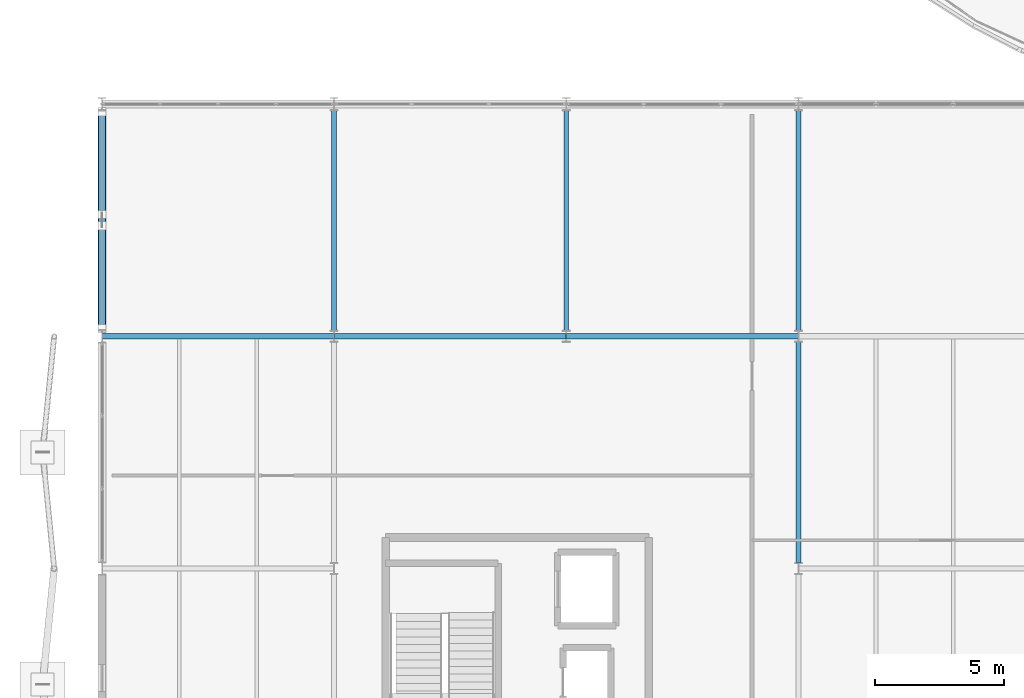
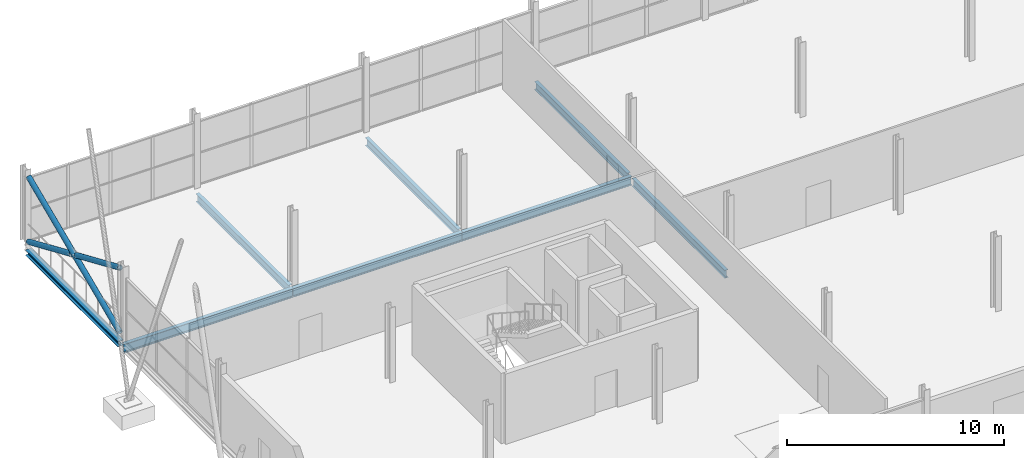
# One storey, part 70 of 140: 8 beams, 3 members.
"""IFC4 building model written with IfcOpenShell, lengths in metres."""

import ifcopenshell
import ifcopenshell.guid

model = None  # the IFC model being written
_history = None  # IfcOwnerHistory: only IFC2X3 demands one
_inside = {}  # id of a spatial element -> (the spatial element, [elements in it])
_under = {}  # id of a project, library or spatial element -> (it, [spatial elements below it])
_declared = {}  # id of a project -> (the project, [libraries it declares])
_typed = {}  # id of a type object -> (the type object, [elements of that type])
_made_of = {}  # id of a material, layer set ... -> (it, [elements and type objects made of it])


def new_model(schema):
    """Start an empty IFC model of exactly this schema.

    Asked for "IFC4X3", IfcOpenShell would pick the latest addendum, in which some entities
    have other attributes; the version numbers below select the first issue.
    IFC2X3 requires an IfcOwnerHistory on every rooted entity: one is made here for all.
    """
    global model, _history
    if schema == "IFC4X3":
        model = ifcopenshell.file(schema_version=(4, 3, 0, 0))
    else:
        model = ifcopenshell.file(schema=schema)
    _inside.clear()
    _under.clear()
    _declared.clear()
    _typed.clear()
    _made_of.clear()
    _history = None
    if model.schema == "IFC2X3":
        org = make("IfcOrganization", Name="unknown")
        user = make(
            "IfcPersonAndOrganization",
            ThePerson=make("IfcPerson", FamilyName="unknown"),
            TheOrganization=org,
        )
        app = make(
            "IfcApplication",
            ApplicationDeveloper=org,
            Version="unknown",
            ApplicationFullName="unknown",
            ApplicationIdentifier="unknown",
        )
        _history = make(
            "IfcOwnerHistory",
            OwningUser=user,
            OwningApplication=app,
            ChangeAction="ADDED",
            CreationDate=0,
        )
    return model


def make(cls, **values):
    """One entity of the class cls with the attributes given. An attribute that is None is left unset."""
    return model.create_entity(
        cls, **{name: value for name, value in values.items() if value is not None}
    )


def rooted(cls, **values):
    """An entity with a GlobalId (a new one), such as an element, a storey or a relation."""
    return make(cls, GlobalId=ifcopenshell.guid.new(), OwnerHistory=_history, **values)


def si_unit(unit_type, name, prefix=None):
    """IfcSIUnit, for example si_unit("LENGTHUNIT", "METRE", prefix="MILLI")."""
    return make("IfcSIUnit", UnitType=unit_type, Prefix=prefix, Name=name)


def assignment(units):
    """IfcUnitAssignment: the units of a project."""
    return None if units is None else make("IfcUnitAssignment", Units=units)


def point(xyz):
    """IfcCartesianPoint."""
    return None if xyz is None else make("IfcCartesianPoint", Coordinates=xyz)


def direction(xyz):
    """IfcDirection."""
    return None if xyz is None else make("IfcDirection", DirectionRatios=xyz)


def frame(location, z_axis=None, x_axis=None):
    """IfcAxis2Placement3D, a coordinate frame: its origin and axes. An axis left out is left unset."""
    return make(
        "IfcAxis2Placement3D",
        Location=point(location),
        Axis=direction(z_axis),
        RefDirection=direction(x_axis),
    )


def frame_2d(location, x_axis=None):
    """IfcAxis2Placement2D, a coordinate frame in the plane: its origin and x axis."""
    return make(
        "IfcAxis2Placement2D", Location=point(location), RefDirection=direction(x_axis)
    )


def origin():
    """The frame at (0, 0, 0) with its axes left unset."""
    return frame((0.0, 0.0, 0.0))


def origin_2d():
    """The frame at (0, 0) in the plane with its x axis left unset."""
    return frame_2d((0.0, 0.0))


def place(relative_to, where):
    """IfcLocalPlacement: puts the frame where relative to a parent placement (None: the world)."""
    return make(
        "IfcLocalPlacement", PlacementRelTo=relative_to, RelativePlacement=where
    )


def context(
    kind, dimensions, precision=None, world=None, true_north=None, identifier=None
):
    """IfcGeometricRepresentationContext, for example the 3D "Model" context."""
    return make(
        "IfcGeometricRepresentationContext",
        ContextIdentifier=identifier,
        ContextType=kind,
        CoordinateSpaceDimension=dimensions,
        Precision=precision,
        WorldCoordinateSystem=world,
        TrueNorth=true_north,
    )


def subcontext(parent, identifier, kind, view, scale=None):
    """IfcGeometricRepresentationSubContext, for example "Body" below "Model"."""
    return make(
        "IfcGeometricRepresentationSubContext",
        ContextIdentifier=identifier,
        ContextType=kind,
        ParentContext=parent,
        TargetScale=scale,
        TargetView=view,
    )


def project(units=None, contexts=None):
    """IfcProject with its units and contexts."""
    return rooted(
        "IfcProject",
        Name="project",
        RepresentationContexts=contexts,
        UnitsInContext=assignment(units),
    )


def spatial(cls, under=None, at=None, **own):
    """A site, building, storey or space (cls), placed at a placement, below another one or the project."""
    s = rooted(cls, ObjectPlacement=at, **own)
    if under is not None:
        _under.setdefault(under.id(), (under, []))[1].append(s)
    return s


def profile(cls, at=None, kind="AREA", **sizes):
    """A parametric profile (cls). Its sizes go by their IFC names, for example OverallWidth=200.0."""
    return make(cls, ProfileType=kind, Position=at, **sizes)


def hollow_circle(**sizes):
    """IfcCircleHollowProfileDef."""
    return profile("IfcCircleHollowProfileDef", **sizes)


def i_section(**sizes):
    """IfcIShapeProfileDef."""
    return profile("IfcIShapeProfileDef", **sizes)


def extrude(swept, where, along, depth):
    """IfcExtrudedAreaSolid: the profile swept, set in the frame where, extruded along a direction by depth."""
    return make(
        "IfcExtrudedAreaSolid",
        SweptArea=swept,
        Position=where,
        ExtrudedDirection=direction(along),
        Depth=depth,
    )


def shape(context_of_items, identifier, shape_type, items):
    """IfcShapeRepresentation: the items that make up one representation, for example the "Body"."""
    return make(
        "IfcShapeRepresentation",
        ContextOfItems=context_of_items,
        RepresentationIdentifier=identifier,
        RepresentationType=shape_type,
        Items=items,
    )


def material(Name=None, Category=None):
    """IfcMaterial."""
    return make("IfcMaterial", Name=Name, Category=Category)


def material_profile(
    of_material, cross_section, Name=None, Category=None, Priority=None
):
    """IfcMaterialProfile: a cross section and its material."""
    return make(
        "IfcMaterialProfile",
        Name=Name,
        Material=of_material,
        Profile=cross_section,
        Priority=Priority,
        Category=Category,
    )


def profile_set(profiles, Name=None, composite=None):
    """IfcMaterialProfileSet."""
    return make(
        "IfcMaterialProfileSet",
        Name=Name,
        MaterialProfiles=profiles,
        CompositeProfile=composite,
    )


def made_of(thing, what):
    """Note that an element or type object is made of a material, layer set ...; save() writes the relation."""
    if what is not None:
        _made_of.setdefault(what.id(), (what, []))[1].append(thing)
    return thing


def type_object(cls, material=None, **own):
    """A type object (cls), such as IfcWallType, which elements share."""
    return made_of(rooted(cls, **own), material)


def element(
    cls,
    number,
    at=None,
    inside=None,
    cuts=None,
    type_object=None,
    material=None,
    context=None,
    identifier="Body",
    shape_type=None,
    held_by="IfcProductDefinitionShape",
    body=None,
    shapes=None,
    **own,
):
    """One element of the class cls, such as IfcWall. Its Tag is "e" and its number.

    at: its placement. inside: the storey or other place that contains it. cuts: it is an
    opening in that element (IfcRelVoidsElement). A single representation is given by context,
    identifier, shape_type and body (its items); several are given by shapes. held_by: the class
    of the entity that holds the representations. save() writes the other relations.
    """
    e = rooted(cls, Tag="e%d" % number, ObjectPlacement=at, **own)
    if body is not None:
        shapes = [shape(context, identifier, shape_type, body)]
    if shapes is not None:
        e.Representation = make(held_by, Representations=shapes)
    if inside is not None:
        _inside.setdefault(inside.id(), (inside, []))[1].append(e)
    if cuts is not None:
        rooted(
            "IfcRelVoidsElement", RelatingBuildingElement=cuts, RelatedOpeningElement=e
        )
    if type_object is not None:
        _typed.setdefault(type_object.id(), (type_object, []))[1].append(e)
    return made_of(e, material)


def aggregate(whole, parts):
    """IfcRelAggregates: a whole, such as a stair, and the parts it consists of."""
    return rooted("IfcRelAggregates", RelatingObject=whole, RelatedObjects=parts)


def save(model, path):
    """Write the relations noted so far, then the file.

    IfcRelAggregates (storeys below a building ...), IfcRelContainedInSpatialStructure (elements
    in a storey), IfcRelDefinesByType, IfcRelAssociatesMaterial and IfcRelDeclares: one each for
    every whole, place, type object, material and project.
    """
    for whole, parts in _under.values():
        aggregate(whole, parts)
    for where, things in _inside.values():
        rooted(
            "IfcRelContainedInSpatialStructure",
            RelatedElements=things,
            RelatingStructure=where,
        )
    for kind, things in _typed.values():
        rooted("IfcRelDefinesByType", RelatedObjects=things, RelatingType=kind)
    for what, things in _made_of.values():
        rooted("IfcRelAssociatesMaterial", RelatedObjects=things, RelatingMaterial=what)
    for by, libraries in _declared.values():
        rooted("IfcRelDeclares", RelatingContext=by, RelatedDefinitions=libraries)
    model.write(path)


model = new_model("IFC4")

# Units and contexts
model_context = context("Model", 3, precision=1e-05, world=origin(), true_north=direction((0.0, 1.0)))
body_context = subcontext(model_context, "Body", "Model", "MODEL_VIEW")
ifc_project = project(units=[si_unit("LENGTHUNIT", "METRE"), si_unit("AREAUNIT", "SQUARE_METRE"), si_unit("VOLUMEUNIT", "CUBIC_METRE"), si_unit("PLANEANGLEUNIT", "RADIAN"), si_unit("MASSUNIT", "GRAM", prefix="KILO")], contexts=[model_context])

# Site, building, storey
site_placement = place(None, origin())
site = spatial("IfcSite", under=ifc_project, at=site_placement, CompositionType="ELEMENT")
building_placement = place(site_placement, origin())
building = spatial("IfcBuilding", under=site, at=building_placement, Name="Deido Ridge Mobility Hub", CompositionType="ELEMENT")
storey_placement = place(building_placement, origin())
storey = spatial("IfcBuildingStorey", under=building, at=storey_placement, Name="L00", CompositionType="ELEMENT", Elevation=0.0)

# Beams
ifc_material_1 = material(Name="Steel S355J2 EN 10025-2", Category="steel")
ifc_material_profile_1 = material_profile(ifc_material_1, i_section(OverallWidth=0.18994140625, OverallDepth=0.449951171875, WebThickness=0.009521484375, FlangeThickness=0.0146484375, FilletRadius=0.02099609375, at=origin_2d()), Name="IPE 450")
ifc_profile_set_1 = profile_set([ifc_material_profile_1], Name="Steel S355J2 EN 10025-2")
beam_type_1 = type_object("IfcBeamType", Name="BM-IPE450", PredefinedType="BEAM", material=ifc_profile_set_1)
for number, where, z_axis, x_axis, name in (
    (1, (9.0, 72.22509765625, -0.485107421875), (0.0, 1.0, 0.0), (-1.0, 0.0, 0.0), "Floor beam B4"),
    (2, (18.0, 72.22509765625, -0.485107421875), (0.0, 1.0, 0.0), (-1.0, 0.0, 0.0), "Floor beam B4"),
):
    element("IfcBeam", number, at=place(storey_placement, frame(where, z_axis=z_axis, x_axis=x_axis)), inside=storey, type_object=beam_type_1, Name=name, PredefinedType="BEAM", context=body_context, shape_type="SweptSolid", body=[
        extrude(i_section(OverallWidth=0.18994140625, OverallDepth=0.449951171875, WebThickness=0.009521484375, FlangeThickness=0.0146484375, FilletRadius=0.02099609375, at=origin_2d()), origin(), (0.0, 0.0, 1.0), 8.52490234375),
    ])
beam_1_placement = place(storey_placement, frame((27.0, 63.22509765625, -0.485107421875), z_axis=(0.0, 1.0, 0.0), x_axis=(-1.0, 0.0, 0.0)))
element("IfcBeam", 3, at=beam_1_placement, inside=storey, type_object=beam_type_1, Name="Floor beam B4", PredefinedType="BEAM", context=body_context, shape_type="SweptSolid", body=[
    extrude(i_section(OverallWidth=0.18994140625, OverallDepth=0.449951171875, WebThickness=0.009521484375, FlangeThickness=0.0146484375, FilletRadius=0.02099609375, at=origin_2d()), origin(), (0.0, 0.0, 1.0), 8.5498046875),
])
beam_2_placement = place(storey_placement, frame((27.0, 72.22509765625, -0.485107421875), z_axis=(0.0, 1.0, 0.0), x_axis=(-1.0, 0.0, 0.0)))
element("IfcBeam", 4, at=beam_2_placement, inside=storey, type_object=beam_type_1, Name="Floor beam B4", PredefinedType="BEAM", context=body_context, shape_type="SweptSolid", body=[
    extrude(i_section(OverallWidth=0.18994140625, OverallDepth=0.449951171875, WebThickness=0.009521484375, FlangeThickness=0.0146484375, FilletRadius=0.02099609375, at=origin_2d()), origin(), (0.0, 0.0, 1.0), 8.52490234375),
])
ifc_material_profile_2 = material_profile(ifc_material_1, i_section(OverallWidth=0.199951171875, OverallDepth=0.5, WebThickness=0.01025390625, FlangeThickness=0.01611328125, FilletRadius=0.02099609375, at=origin_2d()), Name="IPE 500")
ifc_profile_set_2 = profile_set([ifc_material_profile_2], Name="Steel S355J2 EN 10025-2")
beam_type_2 = type_object("IfcBeamType", Name="BM-IPE500", PredefinedType="BEAM", material=ifc_profile_set_2)
beam_3_placement = place(storey_placement, frame((0.00732421875, 72.0, -0.510009765625), z_axis=(1.0, 0.0, 0.0), x_axis=(0.0, 1.0, 0.0)))
element("IfcBeam", 5, at=beam_3_placement, inside=storey, type_object=beam_type_2, Name="Floor beam B3", PredefinedType="BEAM", context=body_context, shape_type="SweptSolid", body=[
    extrude(i_section(OverallWidth=0.199951171875, OverallDepth=0.5, WebThickness=0.01025390625, FlangeThickness=0.01611328125, FilletRadius=0.02099609375, at=origin_2d()), origin(), (0.0, 0.0, 1.0), 8.985595703125),
])
for number, where, z_axis, x_axis, name in (
    (6, (9.007080078125, 72.0, -0.510009765625), (1.0, 0.0, 0.0), (0.0, 1.0, 0.0), "Floor beam B3"),
    (7, (18.007080078125, 72.0, -0.510009765625), (1.0, 0.0, 0.0), (0.0, 1.0, 0.0), "Floor beam B3"),
):
    element("IfcBeam", number, at=place(storey_placement, frame(where, z_axis=z_axis, x_axis=x_axis)), inside=storey, type_object=beam_type_2, Name=name, PredefinedType="BEAM", context=body_context, shape_type="SweptSolid", body=[
        extrude(i_section(OverallWidth=0.199951171875, OverallDepth=0.5, WebThickness=0.01025390625, FlangeThickness=0.01611328125, FilletRadius=0.02099609375, at=origin_2d()), origin(), (0.0, 0.0, 1.0), 8.98583984375),
    ])

# Members
ifc_material_2 = material(Name="Steel S355J2H EN 10210-1", Category="steel")
ifc_material_profile_3 = material_profile(ifc_material_2, hollow_circle(Radius=0.136474609375, WallThickness=0.012451171875, at=origin_2d()), Name="CHS 273x12.5")
ifc_profile_set_3 = profile_set([ifc_material_profile_3], Name="Steel S355J2H EN 10210-1")
member_type = type_object("IfcMemberType", Name="MEM-BRC-CHS273", PredefinedType="BRACE", material=ifc_profile_set_3)
member_placement = place(storey_placement, frame((0.0, 72.300048828125, 0.179931640625), z_axis=(0.0, 0.91754849034, 0.397623902545), x_axis=(-1.0, 0.0, 0.0)))
element("IfcMember", 8, at=member_placement, inside=storey, type_object=member_type, Name="Continuous X-brace diagonal BR1", PredefinedType="BRACE", context=body_context, shape_type="SweptSolid", body=[
    extrude(hollow_circle(Radius=0.136474609375, WallThickness=0.012451171875, at=origin_2d()), origin(), (0.0, 0.0, 1.0), 9.15478515625),
])
for number, where, z_axis, x_axis, name in (
    (9, (0.0, 80.699951171875, 0.179931640625), (0.0, -0.917550833654, 0.397618495119), (1.0, 0.0, 0.0), "Split X-brace diagonal segment BR1"),
    (10, (0.0, 76.27978515625, 2.095458984375), (0.0, -0.917550833654, 0.397618495119), (1.0, 0.0, 0.0), "Split X-brace diagonal segment BR1"),
):
    element("IfcMember", number, at=place(storey_placement, frame(where, z_axis=z_axis, x_axis=x_axis)), inside=storey, type_object=member_type, Name=name, PredefinedType="BRACE", context=body_context, shape_type="SweptSolid", body=[
        extrude(hollow_circle(Radius=0.136474609375, WallThickness=0.012451171875, at=origin_2d()), origin(), (0.0, 0.0, 1.0), 4.33740234375),
    ])

# Beam
ifc_material_profile_4 = material_profile(ifc_material_1, i_section(OverallWidth=0.300048828125, OverallDepth=0.300048828125, WebThickness=0.010986328125, FlangeThickness=0.01904296875, FilletRadius=0.027099609375, at=origin_2d()), Name="HEB 300")
ifc_profile_set_4 = profile_set([ifc_material_profile_4], Name="Steel S355J2 EN 10025-2")
beam_type_3 = type_object("IfcBeamType", Name="SPD-HEB300", PredefinedType="SPANDREL", material=ifc_profile_set_4)
beam_4_placement = place(storey_placement, frame((0.0, 72.25, -0.409912109375), z_axis=(0.0, 1.0, 0.0), x_axis=(-1.0, 0.0, 0.0)))
element("IfcBeam", 11, at=beam_4_placement, inside=storey, type_object=beam_type_3, Name="Floor beam SP1", PredefinedType="SPANDREL", context=body_context, shape_type="SweptSolid", body=[
    extrude(i_section(OverallWidth=0.300048828125, OverallDepth=0.300048828125, WebThickness=0.010986328125, FlangeThickness=0.01904296875, FilletRadius=0.027099609375, at=origin_2d()), origin(), (0.0, 0.0, 1.0), 8.5),
])

save(model, "model.ifc")
